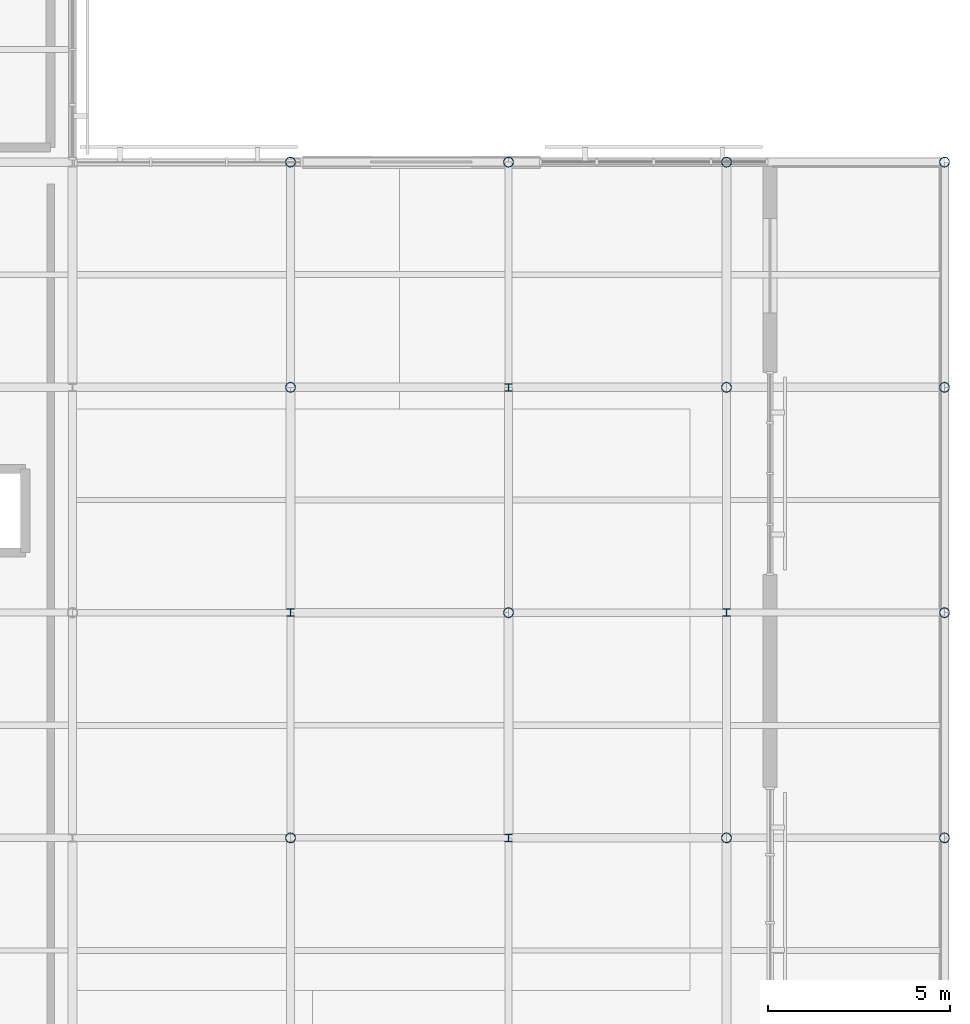
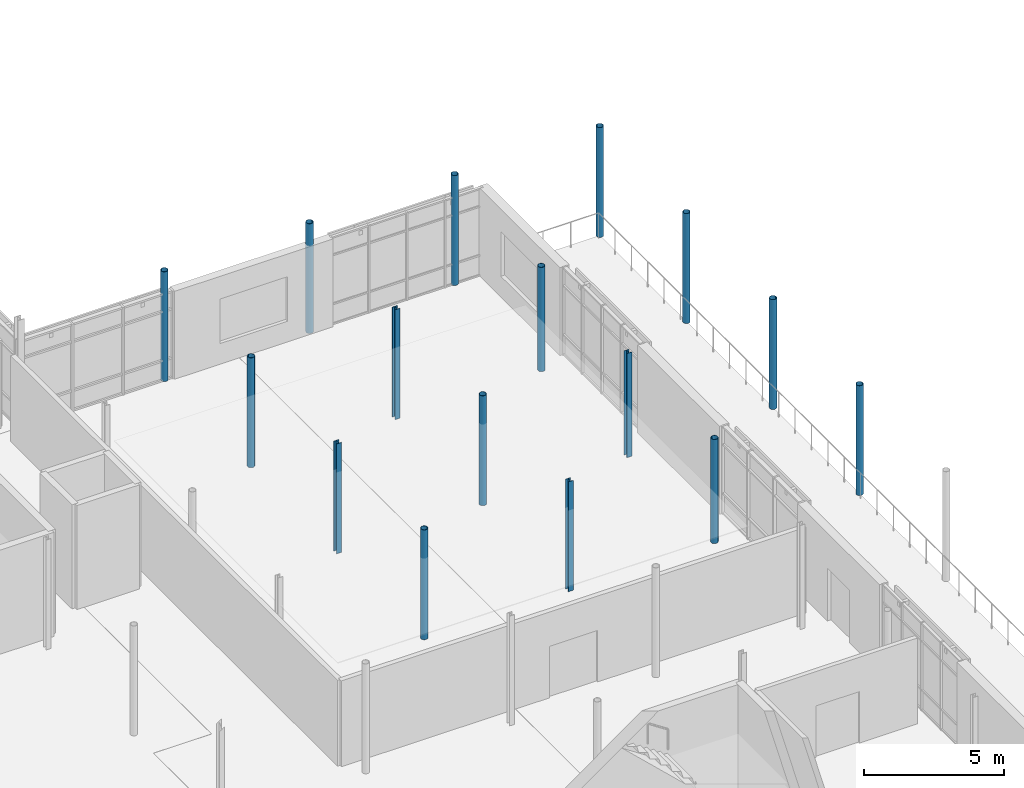
# One storey, part 16 of 66: 16 columns.
"""IFC4 building model written with IfcOpenShell, lengths in metres."""

from ifc_helpers import new_model, si_unit, direction, frame, origin, origin_2d, place, context, subcontext, project, spatial, hollow_circle, i_section, extrude, material, material_profile, profile_set, type_object, element, save


model = new_model("IFC4")

# Units and contexts
model_context = context("Model", 3, precision=1e-05, world=origin(), true_north=direction((0.0, 1.0)))
body_context = subcontext(model_context, "Body", "Model", "MODEL_VIEW")
ifc_project = project(units=[si_unit("LENGTHUNIT", "METRE"), si_unit("AREAUNIT", "SQUARE_METRE"), si_unit("VOLUMEUNIT", "CUBIC_METRE"), si_unit("PLANEANGLEUNIT", "RADIAN"), si_unit("MASSUNIT", "GRAM", prefix="KILO")], contexts=[model_context])

# Site, building, storey
site_placement = place(None, origin())
site = spatial("IfcSite", under=ifc_project, at=site_placement, CompositionType="ELEMENT")
building_placement = place(site_placement, origin())
building = spatial("IfcBuilding", under=site, at=building_placement, Name="Mirzam Square Science Centre", CompositionType="ELEMENT")
storey_placement = place(building_placement, frame((0.0, 0.0, 15.60009765625)))
storey = spatial("IfcBuildingStorey", under=building, at=storey_placement, Name="L03", CompositionType="ELEMENT", Elevation=15.60009765625)

# Columns
ifc_material = material(Name="Steel S355", Category="steel")
ifc_material_profile_1 = material_profile(ifc_material, hollow_circle(Radius=0.136474609375, WallThickness=0.010009765625, at=origin_2d()), Name="273.0x10.0CHS")
ifc_profile_set_1 = profile_set([ifc_material_profile_1], Name="Steel S355")
column_type_1 = type_object("IfcColumnType", Name="COL-CHS273", PredefinedType="COLUMN", material=ifc_profile_set_1)
for number, where, z_axis, x_axis, name in (
    (1, (144.0, 68.199951171875, 0.0), (0.0, 0.0, 1.0), (1.0, 0.0, 0.0), "L03 column G25-12"),
    (2, (144.0, 80.60009765625, 0.0), (0.0, 0.0, 1.0), (1.0, 0.0, 0.0), "L03 column G25-14"),
    (3, (144.0, 86.800048828125, 0.0), (0.0, 0.0, 1.0), (1.0, 0.0, 0.0), "L03 column G25-15"),
    (4, (150.0, 74.39990234375, 0.0), (0.0, 0.0, 1.0), (1.0, 0.0, 0.0), "L03 column G26-13"),
    (5, (150.0, 86.800048828125, 0.0), (0.0, 0.0, 1.0), (1.0, 0.0, 0.0), "L03 column G26-15"),
):
    element("IfcColumn", number, at=place(storey_placement, frame(where, z_axis=z_axis, x_axis=x_axis)), inside=storey, type_object=column_type_1, Name=name, PredefinedType="COLUMN", context=body_context, shape_type="SweptSolid", body=[
        extrude(hollow_circle(Radius=0.136474609375, WallThickness=0.010009765625, at=origin_2d()), origin(), (0.0, 0.0, 1.0), 4.7998046875),
    ])
for number, where, z_axis, x_axis, name in (
    (6, (156.0, 68.199951171875, 0.0), (0.0, 0.0, 1.0), (1.0, 0.0, 0.0), "L03 column G27-12"),
    (7, (156.0, 80.60009765625, 0.0), (0.0, 0.0, 1.0), (1.0, 0.0, 0.0), "L03 column G27-14"),
):
    element("IfcColumn", number, at=place(storey_placement, frame(where, z_axis=z_axis, x_axis=x_axis)), inside=storey, type_object=column_type_1, Name=name, PredefinedType="COLUMN", context=body_context, shape_type="SweptSolid", body=[
        extrude(hollow_circle(Radius=0.136474609375, WallThickness=0.010009765625, at=origin_2d()), origin(), (0.0, 0.0, 1.0), 4.5498046875),
    ])
for number, where, z_axis, x_axis, name in (
    (8, (156.0, 86.800048828125, 0.0), (0.0, 0.0, 1.0), (1.0, 0.0, 0.0), "L03 column G27-15"),
    (9, (162.0, 68.199951171875, 0.0), (0.0, 0.0, 1.0), (1.0, 0.0, 0.0), "L03 column G28-12"),
    (10, (162.0, 74.39990234375, 0.0), (0.0, 0.0, 1.0), (1.0, 0.0, 0.0), "L03 column G28-13"),
    (11, (162.0, 80.60009765625, 0.0), (0.0, 0.0, 1.0), (1.0, 0.0, 0.0), "L03 column G28-14"),
    (12, (162.0, 86.800048828125, 0.0), (0.0, 0.0, 1.0), (1.0, 0.0, 0.0), "L03 column G28-15"),
):
    element("IfcColumn", number, at=place(storey_placement, frame(where, z_axis=z_axis, x_axis=x_axis)), inside=storey, type_object=column_type_1, Name=name, PredefinedType="COLUMN", context=body_context, shape_type="SweptSolid", body=[
        extrude(hollow_circle(Radius=0.136474609375, WallThickness=0.010009765625, at=origin_2d()), origin(), (0.0, 0.0, 1.0), 4.7998046875),
    ])
ifc_material_profile_2 = material_profile(ifc_material, i_section(OverallWidth=0.205810546875, OverallDepth=0.209716796875, WebThickness=0.009521484375, FlangeThickness=0.01416015625, FilletRadius=0.01025390625, at=origin_2d()), Name="203x203x60UC")
ifc_profile_set_2 = profile_set([ifc_material_profile_2], Name="Steel S355")
column_type_2 = type_object("IfcColumnType", Name="COL-UC203A", PredefinedType="COLUMN", material=ifc_profile_set_2)
for number, where, z_axis, x_axis, name in (
    (13, (144.0, 74.39990234375, 0.0), (0.0, 0.0, 1.0), (1.0, 0.0, 0.0), "L03 column G25-13"),
    (14, (150.0, 68.199951171875, 0.0), (0.0, 0.0, 1.0), (1.0, 0.0, 0.0), "L03 column G26-12"),
    (15, (150.0, 80.60009765625, 0.0), (0.0, 0.0, 1.0), (1.0, 0.0, 0.0), "L03 column G26-14"),
):
    element("IfcColumn", number, at=place(storey_placement, frame(where, z_axis=z_axis, x_axis=x_axis)), inside=storey, type_object=column_type_2, Name=name, PredefinedType="COLUMN", context=body_context, shape_type="SweptSolid", body=[
        extrude(i_section(OverallWidth=0.205810546875, OverallDepth=0.209716796875, WebThickness=0.009521484375, FlangeThickness=0.01416015625, FilletRadius=0.01025390625, at=origin_2d()), origin(), (0.0, 0.0, 1.0), 4.7998046875),
    ])
column_placement = place(storey_placement, frame((156.0, 74.39990234375, 0.0), z_axis=(0.0, 0.0, 1.0), x_axis=(1.0, 0.0, 0.0)))
element("IfcColumn", 16, at=column_placement, inside=storey, type_object=column_type_2, Name="L03 column G27-13", PredefinedType="COLUMN", context=body_context, shape_type="SweptSolid", body=[
    extrude(i_section(OverallWidth=0.205810546875, OverallDepth=0.209716796875, WebThickness=0.009521484375, FlangeThickness=0.01416015625, FilletRadius=0.01025390625, at=origin_2d()), origin(), (0.0, 0.0, 1.0), 4.5498046875),
])

save(model, "model.ifc")
